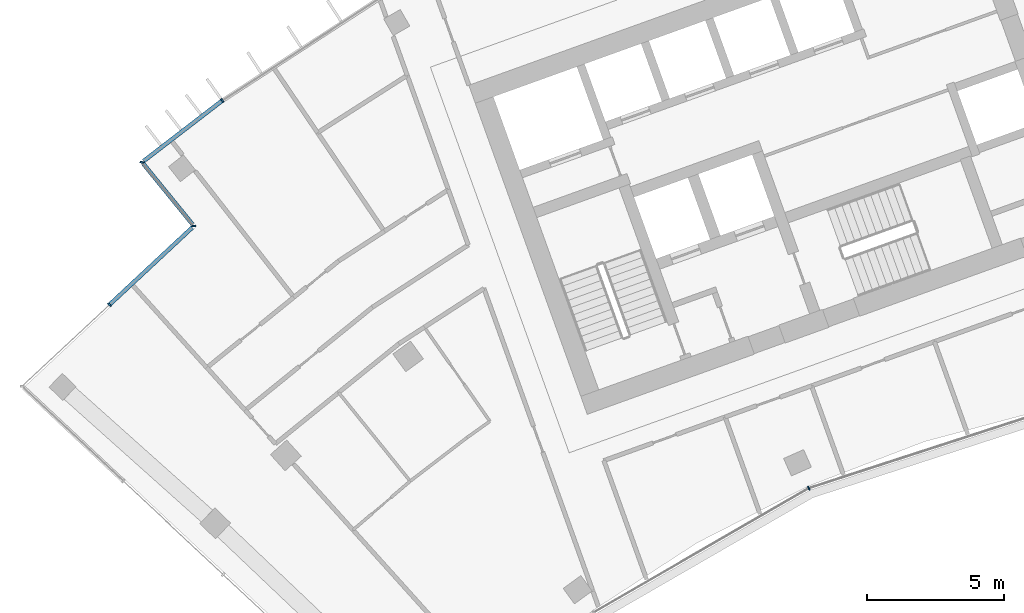
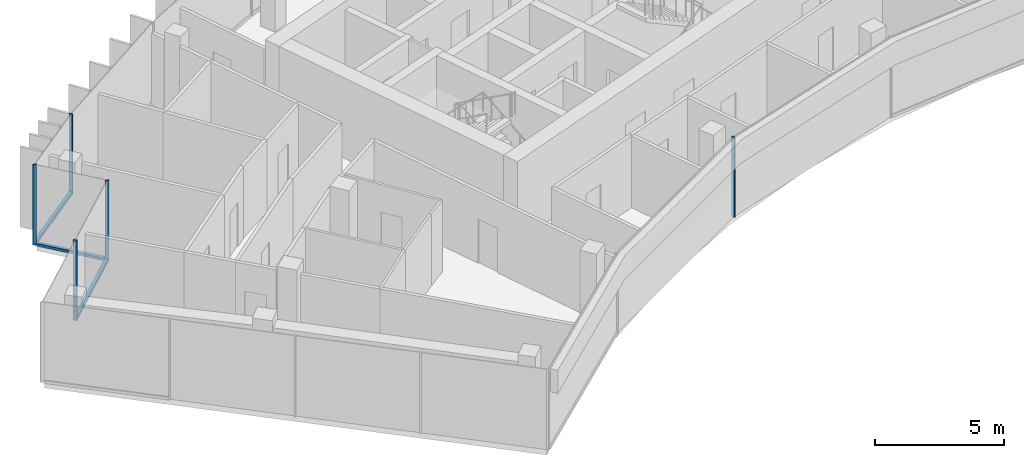
# One storey, part 3 of 19: 8 members, 4 elements without a shape of their own.
"""IFC4 building model written with IfcOpenShell, lengths in metres."""

import ifcopenshell
import ifcopenshell.guid

model = None  # the IFC model being written
_history = None  # IfcOwnerHistory: only IFC2X3 demands one
_inside = {}  # id of a spatial element -> (the spatial element, [elements in it])
_under = {}  # id of a project, library or spatial element -> (it, [spatial elements below it])
_declared = {}  # id of a project -> (the project, [libraries it declares])
_typed = {}  # id of a type object -> (the type object, [elements of that type])
_made_of = {}  # id of a material, layer set ... -> (it, [elements and type objects made of it])


def new_model(schema):
    """Start an empty IFC model of exactly this schema.

    Asked for "IFC4X3", IfcOpenShell would pick the latest addendum, in which some entities
    have other attributes; the version numbers below select the first issue.
    IFC2X3 requires an IfcOwnerHistory on every rooted entity: one is made here for all.
    """
    global model, _history
    if schema == "IFC4X3":
        model = ifcopenshell.file(schema_version=(4, 3, 0, 0))
    else:
        model = ifcopenshell.file(schema=schema)
    _inside.clear()
    _under.clear()
    _declared.clear()
    _typed.clear()
    _made_of.clear()
    _history = None
    if model.schema == "IFC2X3":
        org = make("IfcOrganization", Name="unknown")
        user = make(
            "IfcPersonAndOrganization",
            ThePerson=make("IfcPerson", FamilyName="unknown"),
            TheOrganization=org,
        )
        app = make(
            "IfcApplication",
            ApplicationDeveloper=org,
            Version="unknown",
            ApplicationFullName="unknown",
            ApplicationIdentifier="unknown",
        )
        _history = make(
            "IfcOwnerHistory",
            OwningUser=user,
            OwningApplication=app,
            ChangeAction="ADDED",
            CreationDate=0,
        )
    return model


def make(cls, **values):
    """One entity of the class cls with the attributes given. An attribute that is None is left unset."""
    return model.create_entity(
        cls, **{name: value for name, value in values.items() if value is not None}
    )


def rooted(cls, **values):
    """An entity with a GlobalId (a new one), such as an element, a storey or a relation."""
    return make(cls, GlobalId=ifcopenshell.guid.new(), OwnerHistory=_history, **values)


def si_unit(unit_type, name, prefix=None):
    """IfcSIUnit, for example si_unit("LENGTHUNIT", "METRE", prefix="MILLI")."""
    return make("IfcSIUnit", UnitType=unit_type, Prefix=prefix, Name=name)


def assignment(units):
    """IfcUnitAssignment: the units of a project."""
    return None if units is None else make("IfcUnitAssignment", Units=units)


def point(xyz):
    """IfcCartesianPoint."""
    return None if xyz is None else make("IfcCartesianPoint", Coordinates=xyz)


def direction(xyz):
    """IfcDirection."""
    return None if xyz is None else make("IfcDirection", DirectionRatios=xyz)


def frame(location, z_axis=None, x_axis=None):
    """IfcAxis2Placement3D, a coordinate frame: its origin and axes. An axis left out is left unset."""
    return make(
        "IfcAxis2Placement3D",
        Location=point(location),
        Axis=direction(z_axis),
        RefDirection=direction(x_axis),
    )


def frame_2d(location, x_axis=None):
    """IfcAxis2Placement2D, a coordinate frame in the plane: its origin and x axis."""
    return make(
        "IfcAxis2Placement2D", Location=point(location), RefDirection=direction(x_axis)
    )


def origin():
    """The frame at (0, 0, 0) with its axes left unset."""
    return frame((0.0, 0.0, 0.0))


def origin_2d():
    """The frame at (0, 0) in the plane with its x axis left unset."""
    return frame_2d((0.0, 0.0))


def place(relative_to, where):
    """IfcLocalPlacement: puts the frame where relative to a parent placement (None: the world)."""
    return make(
        "IfcLocalPlacement", PlacementRelTo=relative_to, RelativePlacement=where
    )


def context(
    kind, dimensions, precision=None, world=None, true_north=None, identifier=None
):
    """IfcGeometricRepresentationContext, for example the 3D "Model" context."""
    return make(
        "IfcGeometricRepresentationContext",
        ContextIdentifier=identifier,
        ContextType=kind,
        CoordinateSpaceDimension=dimensions,
        Precision=precision,
        WorldCoordinateSystem=world,
        TrueNorth=true_north,
    )


def subcontext(parent, identifier, kind, view, scale=None):
    """IfcGeometricRepresentationSubContext, for example "Body" below "Model"."""
    return make(
        "IfcGeometricRepresentationSubContext",
        ContextIdentifier=identifier,
        ContextType=kind,
        ParentContext=parent,
        TargetScale=scale,
        TargetView=view,
    )


def project(units=None, contexts=None):
    """IfcProject with its units and contexts."""
    return rooted(
        "IfcProject",
        Name="project",
        RepresentationContexts=contexts,
        UnitsInContext=assignment(units),
    )


def spatial(cls, under=None, at=None, **own):
    """A site, building, storey or space (cls), placed at a placement, below another one or the project."""
    s = rooted(cls, ObjectPlacement=at, **own)
    if under is not None:
        _under.setdefault(under.id(), (under, []))[1].append(s)
    return s


def profile(cls, at=None, kind="AREA", **sizes):
    """A parametric profile (cls). Its sizes go by their IFC names, for example OverallWidth=200.0."""
    return make(cls, ProfileType=kind, Position=at, **sizes)


def rectangle(**sizes):
    """IfcRectangleProfileDef."""
    return profile("IfcRectangleProfileDef", **sizes)


def extrude(swept, where, along, depth):
    """IfcExtrudedAreaSolid: the profile swept, set in the frame where, extruded along a direction by depth."""
    return make(
        "IfcExtrudedAreaSolid",
        SweptArea=swept,
        Position=where,
        ExtrudedDirection=direction(along),
        Depth=depth,
    )


def shape(context_of_items, identifier, shape_type, items):
    """IfcShapeRepresentation: the items that make up one representation, for example the "Body"."""
    return make(
        "IfcShapeRepresentation",
        ContextOfItems=context_of_items,
        RepresentationIdentifier=identifier,
        RepresentationType=shape_type,
        Items=items,
    )


def material(Name=None, Category=None):
    """IfcMaterial."""
    return make("IfcMaterial", Name=Name, Category=Category)


def layer(
    of_material, thickness, ventilated=None, Name=None, Category=None, Priority=None
):
    """IfcMaterialLayer: one layer of a wall or slab, of a material (None: an air gap)."""
    return make(
        "IfcMaterialLayer",
        Material=of_material,
        LayerThickness=thickness,
        IsVentilated=ventilated,
        Name=Name,
        Category=Category,
        Priority=Priority,
    )


def layer_set(layers, Name=None):
    """IfcMaterialLayerSet."""
    return make("IfcMaterialLayerSet", MaterialLayers=layers, LayerSetName=Name)


def material_profile(
    of_material, cross_section, Name=None, Category=None, Priority=None
):
    """IfcMaterialProfile: a cross section and its material."""
    return make(
        "IfcMaterialProfile",
        Name=Name,
        Material=of_material,
        Profile=cross_section,
        Priority=Priority,
        Category=Category,
    )


def profile_set(profiles, Name=None, composite=None):
    """IfcMaterialProfileSet."""
    return make(
        "IfcMaterialProfileSet",
        Name=Name,
        MaterialProfiles=profiles,
        CompositeProfile=composite,
    )


def made_of(thing, what):
    """Note that an element or type object is made of a material, layer set ...; save() writes the relation."""
    if what is not None:
        _made_of.setdefault(what.id(), (what, []))[1].append(thing)
    return thing


def type_object(cls, material=None, **own):
    """A type object (cls), such as IfcWallType, which elements share."""
    return made_of(rooted(cls, **own), material)


def element(
    cls,
    number,
    at=None,
    inside=None,
    cuts=None,
    type_object=None,
    material=None,
    context=None,
    identifier="Body",
    shape_type=None,
    held_by="IfcProductDefinitionShape",
    body=None,
    shapes=None,
    **own,
):
    """One element of the class cls, such as IfcWall. Its Tag is "e" and its number.

    at: its placement. inside: the storey or other place that contains it. cuts: it is an
    opening in that element (IfcRelVoidsElement). A single representation is given by context,
    identifier, shape_type and body (its items); several are given by shapes. held_by: the class
    of the entity that holds the representations. save() writes the other relations.
    """
    e = rooted(cls, Tag="e%d" % number, ObjectPlacement=at, **own)
    if body is not None:
        shapes = [shape(context, identifier, shape_type, body)]
    if shapes is not None:
        e.Representation = make(held_by, Representations=shapes)
    if inside is not None:
        _inside.setdefault(inside.id(), (inside, []))[1].append(e)
    if cuts is not None:
        rooted(
            "IfcRelVoidsElement", RelatingBuildingElement=cuts, RelatedOpeningElement=e
        )
    if type_object is not None:
        _typed.setdefault(type_object.id(), (type_object, []))[1].append(e)
    return made_of(e, material)


def aggregate(whole, parts):
    """IfcRelAggregates: a whole, such as a stair, and the parts it consists of."""
    return rooted("IfcRelAggregates", RelatingObject=whole, RelatedObjects=parts)


def save(model, path):
    """Write the relations noted so far, then the file.

    IfcRelAggregates (storeys below a building ...), IfcRelContainedInSpatialStructure (elements
    in a storey), IfcRelDefinesByType, IfcRelAssociatesMaterial and IfcRelDeclares: one each for
    every whole, place, type object, material and project.
    """
    for whole, parts in _under.values():
        aggregate(whole, parts)
    for where, things in _inside.values():
        rooted(
            "IfcRelContainedInSpatialStructure",
            RelatedElements=things,
            RelatingStructure=where,
        )
    for kind, things in _typed.values():
        rooted("IfcRelDefinesByType", RelatedObjects=things, RelatingType=kind)
    for what, things in _made_of.values():
        rooted("IfcRelAssociatesMaterial", RelatedObjects=things, RelatingMaterial=what)
    for by, libraries in _declared.values():
        rooted("IfcRelDeclares", RelatingContext=by, RelatedDefinitions=libraries)
    model.write(path)


model = new_model("IFC4")

# Units and contexts
model_context = context("Model", 3, precision=1e-05, world=origin(), true_north=direction((0.0, 1.0)))
body_context = subcontext(model_context, "Body", "Model", "MODEL_VIEW")
ifc_project = project(units=[si_unit("LENGTHUNIT", "METRE"), si_unit("AREAUNIT", "SQUARE_METRE"), si_unit("VOLUMEUNIT", "CUBIC_METRE"), si_unit("PLANEANGLEUNIT", "RADIAN"), si_unit("MASSUNIT", "GRAM", prefix="KILO")], contexts=[model_context])

# Site, building, storey
site_placement = place(None, origin())
site = spatial("IfcSite", under=ifc_project, at=site_placement, CompositionType="ELEMENT")
building_placement = place(site_placement, origin())
building = spatial("IfcBuilding", under=site, at=building_placement, Name="Stone Belt Terrace Tower", CompositionType="ELEMENT")
storey_placement = place(building_placement, frame((0.0, 0.0, 303.60009765625)))
storey = spatial("IfcBuildingStorey", under=building, at=storey_placement, Name="L74", CompositionType="ELEMENT", Elevation=303.60009765625)

# Curtain wall, members
ifc_material = material(Name="Aluminium 6063-T6 anodised frame", Category="aluminium")
ifc_layer_1 = layer(ifc_material, 0.14990234375)
ifc_layer_set_1 = layer_set([ifc_layer_1], Name="CW-A unitised convex-face curtain wall")
curtain_wall_type_1 = type_object("IfcCurtainWallType", Name="CW-A unitised convex-face curtain wall", PredefinedType="NOTDEFINED", material=ifc_layer_set_1)
curtain_wall_1_placement = place(storey_placement, origin())
curtain_wall_1 = element("IfcCurtainWall", 1, at=curtain_wall_1_placement, inside=storey, type_object=curtain_wall_type_1, Name="CW-A convex face L74", PredefinedType="NOTDEFINED")
ifc_material_profile_1 = material_profile(ifc_material, rectangle(XDim=0.14990234375, YDim=0.06005859375, at=origin_2d()), Name="Aluminium 6063-T6 60x150")
ifc_profile_set_1 = profile_set([ifc_material_profile_1], Name="Aluminium 6063-T6 anodised frame")
member_type_1 = type_object("IfcMemberType", Name="CW-A mullion 60 x 150", PredefinedType="MULLION", material=ifc_profile_set_1)
member_1_placement = place(storey_placement, frame((-39.131103515625, 53.86083984375, 0.0), z_axis=(0.0, 0.0, 1.0), x_axis=(0.577587125789, -0.816329046477, 0.0)))
member_1 = element("IfcMember", 2, at=member_1_placement, type_object=member_type_1, Name="CW-A mullion 14", PredefinedType="MULLION", context=body_context, shape_type="SweptSolid", body=[
    extrude(rectangle(XDim=0.14990234375, YDim=0.06005859375, at=origin_2d()), origin(), (0.0, 0.0, 1.0), 3.7998046875),
])
ifc_material_profile_2 = material_profile(ifc_material, rectangle(XDim=0.14990234375, YDim=0.139892578125, at=origin_2d()), Name="Aluminium 6063-T6 150x140")
ifc_profile_set_2 = profile_set([ifc_material_profile_2], Name="Aluminium 6063-T6 anodised frame")
member_type_2 = type_object("IfcMemberType", Name="CW-A transom 140 x 150", PredefinedType="USERDEFINED", material=ifc_profile_set_2)
member_2_placement = place(storey_placement, frame((-39.1572265625, 53.8408203125, 0.06982421875), z_axis=(-0.79269461464, -0.609618936648, 0.0), x_axis=(0.609618936648, -0.79269461464, 0.0)))
member_2 = element("IfcMember", 3, at=member_2_placement, type_object=member_type_2, Name="CW-A transom 14.1", ObjectType="TRANSOM", PredefinedType="USERDEFINED", context=body_context, shape_type="SweptSolid", body=[
    extrude(rectangle(XDim=0.14990234375, YDim=0.139892578125, at=origin_2d()), origin(), (0.0, 0.0, 1.0), 3.597900390625),
])
aggregate(curtain_wall_1, [member_1, member_2])

# Curtain wall, member
ifc_layer_2 = layer(ifc_material, 0.14990234375)
ifc_layer_set_2 = layer_set([ifc_layer_2], Name="CW-B unitised concave-face curtain wall")
curtain_wall_type_2 = type_object("IfcCurtainWallType", Name="CW-B unitised concave-face curtain wall", PredefinedType="NOTDEFINED", material=ifc_layer_set_2)
curtain_wall_2_placement = place(storey_placement, origin())
curtain_wall_2 = element("IfcCurtainWall", 4, at=curtain_wall_2_placement, inside=storey, type_object=curtain_wall_type_2, Name="CW-B concave face L74", PredefinedType="NOTDEFINED")
ifc_material_profile_3 = material_profile(ifc_material, rectangle(XDim=0.14990234375, YDim=0.050048828125, at=origin_2d()), Name="Aluminium 6063-T6 50x150")
ifc_profile_set_3 = profile_set([ifc_material_profile_3], Name="Aluminium 6063-T6 anodised frame")
member_type_3 = type_object("IfcMemberType", Name="CW-B mullion 50 x 150", PredefinedType="MULLION", material=ifc_profile_set_3)
member_3_placement = place(storey_placement, frame((-17.662353515625, 39.67041015625, 0.0), z_axis=(0.0, 0.0, 1.0), x_axis=(-0.406736643076, 0.913545457643, 0.0)))
member_3 = element("IfcMember", 5, at=member_3_placement, type_object=member_type_3, Name="CW-B mullion 3", PredefinedType="MULLION", context=body_context, shape_type="SweptSolid", body=[
    extrude(rectangle(XDim=0.14990234375, YDim=0.050048828125, at=origin_2d()), origin(), (0.0, 0.0, 1.0), 3.7998046875),
])
aggregate(curtain_wall_2, [member_3])

ifc_layer_3 = layer(ifc_material, 0.14990234375)
ifc_layer_set_3 = layer_set([ifc_layer_3], Name="CW-C stick curtain wall, horn ends and notches")
curtain_wall_type_3 = type_object("IfcCurtainWallType", Name="CW-C stick curtain wall, horn ends and notches", PredefinedType="NOTDEFINED", material=ifc_layer_set_3)
curtain_wall_3_placement = place(storey_placement, origin())
curtain_wall_3 = element("IfcCurtainWall", 6, at=curtain_wall_3_placement, inside=storey, type_object=curtain_wall_type_3, Name="CW-C notch face L74", PredefinedType="NOTDEFINED")
ifc_material_profile_4 = material_profile(ifc_material, rectangle(XDim=0.14990234375, YDim=0.06005859375, at=origin_2d()), Name="Aluminium 6063-T6 60x150")
ifc_profile_set_4 = profile_set([ifc_material_profile_4], Name="Aluminium 6063-T6 anodised frame")
member_type_4 = type_object("IfcMemberType", Name="CW-C mullion 60 x 150", PredefinedType="MULLION", material=ifc_profile_set_4)
member_4_placement = place(storey_placement, frame((-42.068359375, 51.60205078125, 0.0), z_axis=(0.0, 0.0, 1.0), x_axis=(0.993258004644, -0.115924700604, 0.0)))
member_4 = element("IfcMember", 7, at=member_4_placement, type_object=member_type_4, Name="CW-C mullion 1", PredefinedType="MULLION", context=body_context, shape_type="SweptSolid", body=[
    extrude(rectangle(XDim=0.14990234375, YDim=0.06005859375, at=origin_2d()), origin(), (0.0, 0.0, 1.0), 3.7998046875),
])

# Curtain wall, members
curtain_wall_4_placement = place(storey_placement, origin())
curtain_wall_4 = element("IfcCurtainWall", 8, at=curtain_wall_4_placement, inside=storey, type_object=curtain_wall_type_3, Name="CW-C notch face L74", PredefinedType="NOTDEFINED")
member_5_placement = place(storey_placement, frame((-40.1708984375, 49.269287109375, 0.0), z_axis=(0.0, 0.0, 1.0), x_axis=(0.997639702696, -0.068666029474, 0.0)))
member_5 = element("IfcMember", 9, at=member_5_placement, type_object=member_type_4, Name="CW-C mullion 1", PredefinedType="MULLION", context=body_context, shape_type="SweptSolid", body=[
    extrude(rectangle(XDim=0.14990234375, YDim=0.06005859375, at=origin_2d()), origin(), (0.0, 0.0, 1.0), 3.7998046875),
])
member_6_placement = place(storey_placement, frame((-43.260009765625, 46.388671875, 0.0), z_axis=(0.0, 0.0, 1.0), x_axis=(0.682013767261, -0.731339333871, 0.0)))
member_6 = element("IfcMember", 10, at=member_6_placement, type_object=member_type_4, Name="CW-C mullion 2", PredefinedType="MULLION", context=body_context, shape_type="SweptSolid", body=[
    extrude(rectangle(XDim=0.14990234375, YDim=0.06005859375, at=origin_2d()), origin(), (0.0, 0.0, 1.0), 3.7998046875),
])

# Member
ifc_material_profile_5 = material_profile(ifc_material, rectangle(XDim=0.14990234375, YDim=0.1201171875, at=origin_2d()), Name="Aluminium 6063-T6 150x120")
ifc_profile_set_5 = profile_set([ifc_material_profile_5], Name="Aluminium 6063-T6 anodised frame")
member_type_5 = type_object("IfcMemberType", Name="CW-C transom 120 x 150", PredefinedType="USERDEFINED", material=ifc_profile_set_5)
member_7_placement = place(storey_placement, frame((-42.021240234375, 51.5439453125, 0.059814453125), z_axis=(0.631026504781, -0.775761271439, 0.0), x_axis=(0.775761271439, 0.631026504781, 0.0)))
member_7 = element("IfcMember", 11, at=member_7_placement, type_object=member_type_5, Name="CW-C transom 1.1", ObjectType="TRANSOM", PredefinedType="USERDEFINED", context=body_context, shape_type="SweptSolid", body=[
    extrude(rectangle(XDim=0.14990234375, YDim=0.1201171875, at=origin_2d()), origin(), (0.0, 0.0, 1.0), 2.859130859375),
])

aggregate(curtain_wall_3, [member_4, member_7])

member_8_placement = place(storey_placement, frame((-40.224365234375, 49.21923828125, 0.059814453125), z_axis=(-0.731382255625, -0.681967738355, 0.0), x_axis=(0.681967738355, -0.731382255625, 0.0)))
member_8 = element("IfcMember", 12, at=member_8_placement, type_object=member_type_5, Name="CW-C transom 1.1", ObjectType="TRANSOM", PredefinedType="USERDEFINED", context=body_context, shape_type="SweptSolid", body=[
    extrude(rectangle(XDim=0.14990234375, YDim=0.1201171875, at=origin_2d()), origin(), (0.0, 0.0, 1.0), 4.12060546875),
])

aggregate(curtain_wall_4, [member_5, member_6, member_8])

save(model, "model.ifc")
